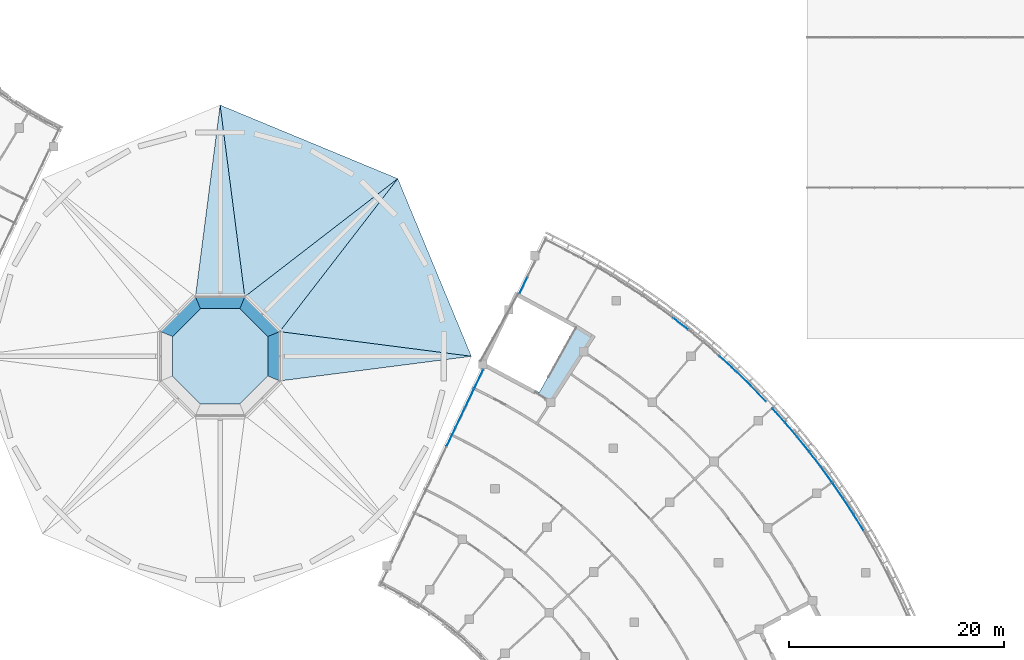
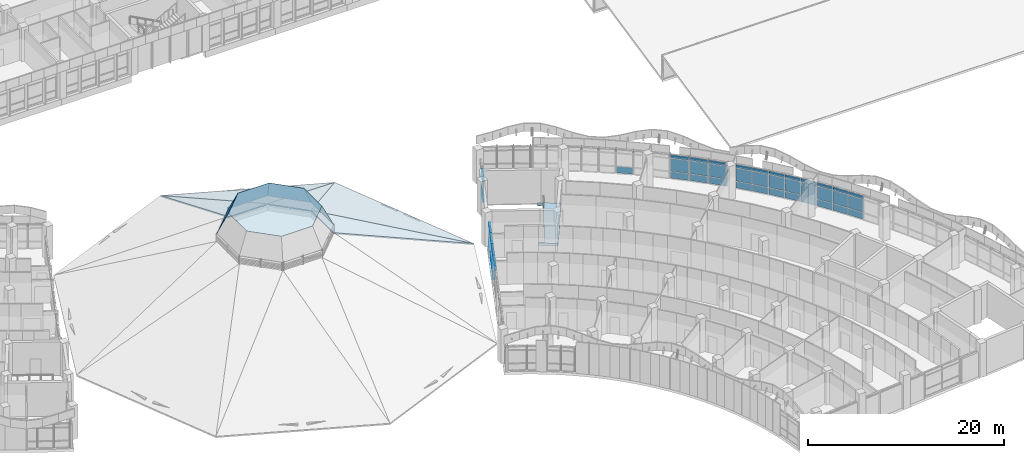
# One storey, part 51 of 137: 52 plates, 6 slabs, 6 elements without a shape of their own.
"""IFC4 building model written with IfcOpenShell, lengths in metres."""

import ifcopenshell
import ifcopenshell.guid

model = None  # the IFC model being written
_history = None  # IfcOwnerHistory: only IFC2X3 demands one
_inside = {}  # id of a spatial element -> (the spatial element, [elements in it])
_under = {}  # id of a project, library or spatial element -> (it, [spatial elements below it])
_declared = {}  # id of a project -> (the project, [libraries it declares])
_typed = {}  # id of a type object -> (the type object, [elements of that type])
_made_of = {}  # id of a material, layer set ... -> (it, [elements and type objects made of it])


def new_model(schema):
    """Start an empty IFC model of exactly this schema.

    Asked for "IFC4X3", IfcOpenShell would pick the latest addendum, in which some entities
    have other attributes; the version numbers below select the first issue.
    IFC2X3 requires an IfcOwnerHistory on every rooted entity: one is made here for all.
    """
    global model, _history
    if schema == "IFC4X3":
        model = ifcopenshell.file(schema_version=(4, 3, 0, 0))
    else:
        model = ifcopenshell.file(schema=schema)
    _inside.clear()
    _under.clear()
    _declared.clear()
    _typed.clear()
    _made_of.clear()
    _history = None
    if model.schema == "IFC2X3":
        org = make("IfcOrganization", Name="unknown")
        user = make(
            "IfcPersonAndOrganization",
            ThePerson=make("IfcPerson", FamilyName="unknown"),
            TheOrganization=org,
        )
        app = make(
            "IfcApplication",
            ApplicationDeveloper=org,
            Version="unknown",
            ApplicationFullName="unknown",
            ApplicationIdentifier="unknown",
        )
        _history = make(
            "IfcOwnerHistory",
            OwningUser=user,
            OwningApplication=app,
            ChangeAction="ADDED",
            CreationDate=0,
        )
    return model


def make(cls, **values):
    """One entity of the class cls with the attributes given. An attribute that is None is left unset."""
    return model.create_entity(
        cls, **{name: value for name, value in values.items() if value is not None}
    )


def rooted(cls, **values):
    """An entity with a GlobalId (a new one), such as an element, a storey or a relation."""
    return make(cls, GlobalId=ifcopenshell.guid.new(), OwnerHistory=_history, **values)


def si_unit(unit_type, name, prefix=None):
    """IfcSIUnit, for example si_unit("LENGTHUNIT", "METRE", prefix="MILLI")."""
    return make("IfcSIUnit", UnitType=unit_type, Prefix=prefix, Name=name)


def assignment(units):
    """IfcUnitAssignment: the units of a project."""
    return None if units is None else make("IfcUnitAssignment", Units=units)


def point(xyz):
    """IfcCartesianPoint."""
    return None if xyz is None else make("IfcCartesianPoint", Coordinates=xyz)


def direction(xyz):
    """IfcDirection."""
    return None if xyz is None else make("IfcDirection", DirectionRatios=xyz)


def frame(location, z_axis=None, x_axis=None):
    """IfcAxis2Placement3D, a coordinate frame: its origin and axes. An axis left out is left unset."""
    return make(
        "IfcAxis2Placement3D",
        Location=point(location),
        Axis=direction(z_axis),
        RefDirection=direction(x_axis),
    )


def frame_2d(location, x_axis=None):
    """IfcAxis2Placement2D, a coordinate frame in the plane: its origin and x axis."""
    return make(
        "IfcAxis2Placement2D", Location=point(location), RefDirection=direction(x_axis)
    )


def origin():
    """The frame at (0, 0, 0) with its axes left unset."""
    return frame((0.0, 0.0, 0.0))


def origin_2d():
    """The frame at (0, 0) in the plane with its x axis left unset."""
    return frame_2d((0.0, 0.0))


def place(relative_to, where):
    """IfcLocalPlacement: puts the frame where relative to a parent placement (None: the world)."""
    return make(
        "IfcLocalPlacement", PlacementRelTo=relative_to, RelativePlacement=where
    )


def context(
    kind, dimensions, precision=None, world=None, true_north=None, identifier=None
):
    """IfcGeometricRepresentationContext, for example the 3D "Model" context."""
    return make(
        "IfcGeometricRepresentationContext",
        ContextIdentifier=identifier,
        ContextType=kind,
        CoordinateSpaceDimension=dimensions,
        Precision=precision,
        WorldCoordinateSystem=world,
        TrueNorth=true_north,
    )


def subcontext(parent, identifier, kind, view, scale=None):
    """IfcGeometricRepresentationSubContext, for example "Body" below "Model"."""
    return make(
        "IfcGeometricRepresentationSubContext",
        ContextIdentifier=identifier,
        ContextType=kind,
        ParentContext=parent,
        TargetScale=scale,
        TargetView=view,
    )


def project(units=None, contexts=None):
    """IfcProject with its units and contexts."""
    return rooted(
        "IfcProject",
        Name="project",
        RepresentationContexts=contexts,
        UnitsInContext=assignment(units),
    )


def spatial(cls, under=None, at=None, **own):
    """A site, building, storey or space (cls), placed at a placement, below another one or the project."""
    s = rooted(cls, ObjectPlacement=at, **own)
    if under is not None:
        _under.setdefault(under.id(), (under, []))[1].append(s)
    return s


def polyline(points):
    """IfcPolyline through the points."""
    return make("IfcPolyline", Points=[point(p) for p in points])


def profile(cls, at=None, kind="AREA", **sizes):
    """A parametric profile (cls). Its sizes go by their IFC names, for example OverallWidth=200.0."""
    return make(cls, ProfileType=kind, Position=at, **sizes)


def rectangle(**sizes):
    """IfcRectangleProfileDef."""
    return profile("IfcRectangleProfileDef", **sizes)


def outline(outer, holes=None, kind="AREA"):
    """IfcArbitraryClosedProfileDef: a profile drawn as a closed curve; with holes, ...WithVoids."""
    if holes is None:
        return make("IfcArbitraryClosedProfileDef", ProfileType=kind, OuterCurve=outer)
    return make(
        "IfcArbitraryProfileDefWithVoids",
        ProfileType=kind,
        OuterCurve=outer,
        InnerCurves=holes,
    )


def extrude(swept, where, along, depth):
    """IfcExtrudedAreaSolid: the profile swept, set in the frame where, extruded along a direction by depth."""
    return make(
        "IfcExtrudedAreaSolid",
        SweptArea=swept,
        Position=where,
        ExtrudedDirection=direction(along),
        Depth=depth,
    )


def shape(context_of_items, identifier, shape_type, items):
    """IfcShapeRepresentation: the items that make up one representation, for example the "Body"."""
    return make(
        "IfcShapeRepresentation",
        ContextOfItems=context_of_items,
        RepresentationIdentifier=identifier,
        RepresentationType=shape_type,
        Items=items,
    )


def material(Name=None, Category=None):
    """IfcMaterial."""
    return make("IfcMaterial", Name=Name, Category=Category)


def layer(
    of_material, thickness, ventilated=None, Name=None, Category=None, Priority=None
):
    """IfcMaterialLayer: one layer of a wall or slab, of a material (None: an air gap)."""
    return make(
        "IfcMaterialLayer",
        Material=of_material,
        LayerThickness=thickness,
        IsVentilated=ventilated,
        Name=Name,
        Category=Category,
        Priority=Priority,
    )


def layer_set(layers, Name=None):
    """IfcMaterialLayerSet."""
    return make("IfcMaterialLayerSet", MaterialLayers=layers, LayerSetName=Name)


def made_of(thing, what):
    """Note that an element or type object is made of a material, layer set ...; save() writes the relation."""
    if what is not None:
        _made_of.setdefault(what.id(), (what, []))[1].append(thing)
    return thing


def type_object(cls, material=None, **own):
    """A type object (cls), such as IfcWallType, which elements share."""
    return made_of(rooted(cls, **own), material)


def element(
    cls,
    number,
    at=None,
    inside=None,
    cuts=None,
    type_object=None,
    material=None,
    context=None,
    identifier="Body",
    shape_type=None,
    held_by="IfcProductDefinitionShape",
    body=None,
    shapes=None,
    **own,
):
    """One element of the class cls, such as IfcWall. Its Tag is "e" and its number.

    at: its placement. inside: the storey or other place that contains it. cuts: it is an
    opening in that element (IfcRelVoidsElement). A single representation is given by context,
    identifier, shape_type and body (its items); several are given by shapes. held_by: the class
    of the entity that holds the representations. save() writes the other relations.
    """
    e = rooted(cls, Tag="e%d" % number, ObjectPlacement=at, **own)
    if body is not None:
        shapes = [shape(context, identifier, shape_type, body)]
    if shapes is not None:
        e.Representation = make(held_by, Representations=shapes)
    if inside is not None:
        _inside.setdefault(inside.id(), (inside, []))[1].append(e)
    if cuts is not None:
        rooted(
            "IfcRelVoidsElement", RelatingBuildingElement=cuts, RelatedOpeningElement=e
        )
    if type_object is not None:
        _typed.setdefault(type_object.id(), (type_object, []))[1].append(e)
    return made_of(e, material)


def aggregate(whole, parts):
    """IfcRelAggregates: a whole, such as a stair, and the parts it consists of."""
    return rooted("IfcRelAggregates", RelatingObject=whole, RelatedObjects=parts)


def save(model, path):
    """Write the relations noted so far, then the file.

    IfcRelAggregates (storeys below a building ...), IfcRelContainedInSpatialStructure (elements
    in a storey), IfcRelDefinesByType, IfcRelAssociatesMaterial and IfcRelDeclares: one each for
    every whole, place, type object, material and project.
    """
    for whole, parts in _under.values():
        aggregate(whole, parts)
    for where, things in _inside.values():
        rooted(
            "IfcRelContainedInSpatialStructure",
            RelatedElements=things,
            RelatingStructure=where,
        )
    for kind, things in _typed.values():
        rooted("IfcRelDefinesByType", RelatedObjects=things, RelatingType=kind)
    for what, things in _made_of.values():
        rooted("IfcRelAssociatesMaterial", RelatedObjects=things, RelatingMaterial=what)
    for by, libraries in _declared.values():
        rooted("IfcRelDeclares", RelatingContext=by, RelatedDefinitions=libraries)
    model.write(path)


model = new_model("IFC4")

# Units and contexts
model_context = context("Model", 3, precision=1e-05, world=origin(), true_north=direction((0.0, 1.0)))
body_context = subcontext(model_context, "Body", "Model", "MODEL_VIEW")
ifc_project = project(units=[si_unit("LENGTHUNIT", "METRE"), si_unit("AREAUNIT", "SQUARE_METRE"), si_unit("VOLUMEUNIT", "CUBIC_METRE"), si_unit("PLANEANGLEUNIT", "RADIAN"), si_unit("MASSUNIT", "GRAM", prefix="KILO")], contexts=[model_context])

# Site, building, storey
site_placement = place(None, origin())
site = spatial("IfcSite", under=ifc_project, at=site_placement, CompositionType="ELEMENT")
building_placement = place(site_placement, origin())
building = spatial("IfcBuilding", under=site, at=building_placement, Name="Bougainvillea Quay General Hospital", CompositionType="ELEMENT")
storey_placement = place(building_placement, frame((0.0, 0.0, 16.800048828125)))
storey = spatial("IfcBuildingStorey", under=building, at=storey_placement, Name="L03", CompositionType="ELEMENT", Elevation=16.800048828125)

# Curtain wall, plate
ifc_material_1 = material(Name="Aluminium curtain wall system, powder-coated glazed", Category="aluminium")
curtain_wall_type_1 = type_object("IfcCurtainWallType", Name="Unitised curtain wall CW-2100", PredefinedType="NOTDEFINED", material=ifc_material_1)
curtain_wall_1_placement = place(storey_placement, origin())
curtain_wall_1 = element("IfcCurtainWall", 1, at=curtain_wall_1_placement, inside=storey, type_object=curtain_wall_type_1, Name="CW-E02 a10b1", PredefinedType="NOTDEFINED")
ifc_material_2 = material(Name="Insulated aluminium spandrel panel, white", Category="aluminium")
ifc_layer_1 = layer(ifc_material_2, 0.028076171875)
ifc_layer_set_1 = layer_set([ifc_layer_1], Name="Insulated aluminium spandrel panel, white")
plate_type_1 = type_object("IfcPlateType", Name="Insulated spandrel panel white 28", PredefinedType="CURTAIN_PANEL", material=ifc_layer_set_1)
plate_1_placement = place(storey_placement, frame((152.072265625, 77.01171875, 0.059814453125), z_axis=(0.0, 0.0, 1.0), x_axis=(0.788758046282, -0.614703785921, 0.0)))
plate_1 = element("IfcPlate", 2, at=plate_1_placement, type_object=plate_type_1, Name="CW-E02 spandrel panel 4.1", PredefinedType="CURTAIN_PANEL", context=body_context, shape_type="SweptSolid", body=[
    extrude(rectangle(XDim=1.72021484375, YDim=0.028076171875, at=origin_2d()), origin(), (0.0, 0.0, 1.0), 0.81005859375),
])
aggregate(curtain_wall_1, [plate_1])

# Curtain wall, plates
curtain_wall_2_placement = place(storey_placement, origin())
curtain_wall_2 = element("IfcCurtainWall", 3, at=curtain_wall_2_placement, inside=storey, type_object=curtain_wall_type_1, Name="CW-E03 a10b2", PredefinedType="NOTDEFINED")
plate_2_placement = place(storey_placement, frame((156.422607421875, 73.323486328125, 0.059814453125), z_axis=(0.0, 0.0, 1.0), x_axis=(0.735894078479, -0.677096673497, 0.0)))
plate_2 = element("IfcPlate", 4, at=plate_2_placement, type_object=plate_type_1, Name="CW-E03 spandrel panel 2.1", PredefinedType="CURTAIN_PANEL", context=body_context, shape_type="SweptSolid", body=[
    extrude(rectangle(XDim=1.96337890625, YDim=0.028076171875, at=origin_2d()), origin(), (0.0, 0.0, 1.0), 0.81005859375),
])
plate_3_placement = place(storey_placement, frame((156.422607421875, 73.323486328125, 2.580078125), z_axis=(0.0, 0.0, 1.0), x_axis=(0.735894078479, -0.677096673497, 0.0)))
plate_3 = element("IfcPlate", 5, at=plate_3_placement, type_object=plate_type_1, Name="CW-E03 spandrel panel 2.3", PredefinedType="CURTAIN_PANEL", context=body_context, shape_type="SweptSolid", body=[
    extrude(rectangle(XDim=1.96337890625, YDim=0.028076171875, at=origin_2d()), origin(), (0.0, 0.0, 1.0), 0.409912109375),
])
plate_4_placement = place(storey_placement, frame((157.8916015625, 71.93212890625, 0.059814453125), z_axis=(0.0, 0.0, 1.0), x_axis=(0.715944985264, -0.69815670023, 0.0)))
plate_4 = element("IfcPlate", 6, at=plate_4_placement, type_object=plate_type_1, Name="CW-E03 spandrel panel 3.1", PredefinedType="CURTAIN_PANEL", context=body_context, shape_type="SweptSolid", body=[
    extrude(rectangle(XDim=1.96337890625, YDim=0.028076171875, at=origin_2d()), origin(), (0.0, 0.0, 1.0), 0.81005859375),
])
plate_5_placement = place(storey_placement, frame((157.8916015625, 71.93212890625, 2.580078125), z_axis=(0.0, 0.0, 1.0), x_axis=(0.715944985264, -0.69815670023, 0.0)))
plate_5 = element("IfcPlate", 7, at=plate_5_placement, type_object=plate_type_1, Name="CW-E03 spandrel panel 3.3", PredefinedType="CURTAIN_PANEL", context=body_context, shape_type="SweptSolid", body=[
    extrude(rectangle(XDim=1.96337890625, YDim=0.028076171875, at=origin_2d()), origin(), (0.0, 0.0, 1.0), 0.409912109375),
])
plate_6_placement = place(storey_placement, frame((159.308837890625, 70.509521484375, 0.059814453125), z_axis=(0.0, 0.0, 1.0), x_axis=(0.695393430754, -0.718629234351, 0.0)))
plate_6 = element("IfcPlate", 8, at=plate_6_placement, type_object=plate_type_1, Name="CW-E03 spandrel panel 4.1", PredefinedType="CURTAIN_PANEL", context=body_context, shape_type="SweptSolid", body=[
    extrude(rectangle(XDim=1.933349609375, YDim=0.028076171875, at=origin_2d()), origin(), (0.0, 0.0, 1.0), 0.81005859375),
])
plate_7_placement = place(storey_placement, frame((159.308837890625, 70.509521484375, 2.580078125), z_axis=(0.0, 0.0, 1.0), x_axis=(0.695393430754, -0.718629234351, 0.0)))
plate_7 = element("IfcPlate", 9, at=plate_7_placement, type_object=plate_type_1, Name="CW-E03 spandrel panel 4.3", PredefinedType="CURTAIN_PANEL", context=body_context, shape_type="SweptSolid", body=[
    extrude(rectangle(XDim=1.933349609375, YDim=0.028076171875, at=origin_2d()), origin(), (0.0, 0.0, 1.0), 0.409912109375),
])

curtain_wall_type_2 = type_object("IfcCurtainWallType", Name="Unitised curtain wall CW-1703", PredefinedType="NOTDEFINED", material=ifc_material_1)
curtain_wall_3_placement = place(storey_placement, origin())
curtain_wall_3 = element("IfcCurtainWall", 10, at=curtain_wall_3_placement, inside=storey, type_object=curtain_wall_type_2, Name="CW-AE 01", PredefinedType="NOTDEFINED")
plate_8_placement = place(storey_placement, frame((137.4267578125, 80.597412109375, 0.059814453125), z_axis=(0.0, 0.0, 1.0), x_axis=(-0.430525444112, -0.902578440897, 0.0)))
plate_8 = element("IfcPlate", 11, at=plate_8_placement, type_object=plate_type_1, Name="CW-AE spandrel panel 2.1", PredefinedType="CURTAIN_PANEL", context=body_context, shape_type="SweptSolid", body=[
    extrude(rectangle(XDim=1.61279296875, YDim=0.028076171875, at=origin_2d()), origin(), (0.0, 0.0, 1.0), 0.81005859375),
])
plate_9_placement = place(storey_placement, frame((137.4267578125, 80.597412109375, 2.580078125), z_axis=(0.0, 0.0, 1.0), x_axis=(-0.430525444112, -0.902578440897, 0.0)))
plate_9 = element("IfcPlate", 12, at=plate_9_placement, type_object=plate_type_1, Name="CW-AE spandrel panel 2.3", PredefinedType="CURTAIN_PANEL", context=body_context, shape_type="SweptSolid", body=[
    extrude(rectangle(XDim=1.61279296875, YDim=0.028076171875, at=origin_2d()), origin(), (0.0, 0.0, 1.0), 0.409912109375),
])

curtain_wall_type_3 = type_object("IfcCurtainWallType", Name="Unitised curtain wall CW-1997", PredefinedType="NOTDEFINED", material=ifc_material_1)
curtain_wall_4_placement = place(storey_placement, origin())
curtain_wall_4 = element("IfcCurtainWall", 13, at=curtain_wall_4_placement, inside=storey, type_object=curtain_wall_type_3, Name="CW-AE 02", PredefinedType="NOTDEFINED")
plate_10_placement = place(storey_placement, frame((133.26171875, 71.865966796875, 0.059814453125), z_axis=(0.0, 0.0, 1.0), x_axis=(-0.430525444112, -0.902578440897, 0.0)))
plate_10 = element("IfcPlate", 14, at=plate_10_placement, type_object=plate_type_1, Name="CW-AE spandrel panel 1.1", PredefinedType="CURTAIN_PANEL", context=body_context, shape_type="SweptSolid", body=[
    extrude(rectangle(XDim=1.906005859375, YDim=0.028076171875, at=origin_2d()), origin(), (0.0, 0.0, 1.0), 0.81005859375),
])
plate_11_placement = place(storey_placement, frame((133.26171875, 71.865966796875, 2.580078125), z_axis=(0.0, 0.0, 1.0), x_axis=(-0.430525444112, -0.902578440897, 0.0)))
plate_11 = element("IfcPlate", 15, at=plate_11_placement, type_object=plate_type_1, Name="CW-AE spandrel panel 1.3", PredefinedType="CURTAIN_PANEL", context=body_context, shape_type="SweptSolid", body=[
    extrude(rectangle(XDim=1.906005859375, YDim=0.028076171875, at=origin_2d()), origin(), (0.0, 0.0, 1.0), 0.409912109375),
])
plate_12_placement = place(storey_placement, frame((132.408935546875, 70.077880859375, 0.059814453125), z_axis=(0.0, 0.0, 1.0), x_axis=(-0.430525444112, -0.902578440897, 0.0)))
plate_12 = element("IfcPlate", 16, at=plate_12_placement, type_object=plate_type_1, Name="CW-AE spandrel panel 2.1", PredefinedType="CURTAIN_PANEL", context=body_context, shape_type="SweptSolid", body=[
    extrude(rectangle(XDim=1.93603515625, YDim=0.028076171875, at=origin_2d()), origin(), (0.0, 0.0, 1.0), 0.81005859375),
])
plate_13_placement = place(storey_placement, frame((132.408935546875, 70.077880859375, 2.580078125), z_axis=(0.0, 0.0, 1.0), x_axis=(-0.430525444112, -0.902578440897, 0.0)))
plate_13 = element("IfcPlate", 17, at=plate_13_placement, type_object=plate_type_1, Name="CW-AE spandrel panel 2.3", PredefinedType="CURTAIN_PANEL", context=body_context, shape_type="SweptSolid", body=[
    extrude(rectangle(XDim=1.93603515625, YDim=0.028076171875, at=origin_2d()), origin(), (0.0, 0.0, 1.0), 0.409912109375),
])
plate_14_placement = place(storey_placement, frame((131.549560546875, 68.2763671875, 0.059814453125), z_axis=(0.0, 0.0, 1.0), x_axis=(-0.430525444112, -0.902578440897, 0.0)))
plate_14 = element("IfcPlate", 18, at=plate_14_placement, type_object=plate_type_1, Name="CW-AE spandrel panel 3.1", PredefinedType="CURTAIN_PANEL", context=body_context, shape_type="SweptSolid", body=[
    extrude(rectangle(XDim=1.93603515625, YDim=0.028076171875, at=origin_2d()), origin(), (0.0, 0.0, 1.0), 0.81005859375),
])
plate_15_placement = place(storey_placement, frame((131.549560546875, 68.2763671875, 2.580078125), z_axis=(0.0, 0.0, 1.0), x_axis=(-0.430525444112, -0.902578440897, 0.0)))
plate_15 = element("IfcPlate", 19, at=plate_15_placement, type_object=plate_type_1, Name="CW-AE spandrel panel 3.3", PredefinedType="CURTAIN_PANEL", context=body_context, shape_type="SweptSolid", body=[
    extrude(rectangle(XDim=1.93603515625, YDim=0.028076171875, at=origin_2d()), origin(), (0.0, 0.0, 1.0), 0.409912109375),
])
plate_16_placement = place(storey_placement, frame((130.690185546875, 66.474609375, 2.580078125), z_axis=(0.0, 0.0, 1.0), x_axis=(-0.430525444112, -0.902578440897, 0.0)))
plate_16 = element("IfcPlate", 20, at=plate_16_placement, type_object=plate_type_1, Name="CW-AE spandrel panel 4.3", PredefinedType="CURTAIN_PANEL", context=body_context, shape_type="SweptSolid", body=[
    extrude(rectangle(XDim=1.93603515625, YDim=0.028076171875, at=origin_2d()), origin(), (0.0, 0.0, 1.0), 0.409912109375),
])

curtain_wall_5_placement = place(storey_placement, origin())
curtain_wall_5 = element("IfcCurtainWall", 21, at=curtain_wall_5_placement, inside=storey, type_object=curtain_wall_type_1, Name="CW-E04 a14b3", PredefinedType="NOTDEFINED")
plate_17_placement = place(storey_placement, frame((161.176513671875, 68.505859375, 0.059814453125), z_axis=(0.0, 0.0, 1.0), x_axis=(0.666959122159, -0.745094309044, 0.0)))
plate_17 = element("IfcPlate", 22, at=plate_17_placement, type_object=plate_type_1, Name="CW-E04 spandrel panel 1.1", PredefinedType="CURTAIN_PANEL", context=body_context, shape_type="SweptSolid", body=[
    extrude(rectangle(XDim=1.690185546875, YDim=0.028076171875, at=origin_2d()), origin(), (0.0, 0.0, 1.0), 0.81005859375),
])
plate_18_placement = place(storey_placement, frame((161.176513671875, 68.505859375, 2.580078125), z_axis=(0.0, 0.0, 1.0), x_axis=(0.666959122159, -0.745094309044, 0.0)))
plate_18 = element("IfcPlate", 23, at=plate_18_placement, type_object=plate_type_1, Name="CW-E04 spandrel panel 1.3", PredefinedType="CURTAIN_PANEL", context=body_context, shape_type="SweptSolid", body=[
    extrude(rectangle(XDim=1.690185546875, YDim=0.028076171875, at=origin_2d()), origin(), (0.0, 0.0, 1.0), 0.409912109375),
])
plate_19_placement = place(storey_placement, frame((162.336669921875, 67.175537109375, 0.059814453125), z_axis=(0.0, 0.0, 1.0), x_axis=(0.647726390606, -0.761873035953, 0.0)))
plate_19 = element("IfcPlate", 24, at=plate_19_placement, type_object=plate_type_1, Name="CW-E04 spandrel panel 2.1", PredefinedType="CURTAIN_PANEL", context=body_context, shape_type="SweptSolid", body=[
    extrude(rectangle(XDim=1.72021484375, YDim=0.028076171875, at=origin_2d()), origin(), (0.0, 0.0, 1.0), 0.81005859375),
])
plate_20_placement = place(storey_placement, frame((162.336669921875, 67.175537109375, 2.580078125), z_axis=(0.0, 0.0, 1.0), x_axis=(0.647726390606, -0.761873035953, 0.0)))
plate_20 = element("IfcPlate", 25, at=plate_20_placement, type_object=plate_type_1, Name="CW-E04 spandrel panel 2.3", PredefinedType="CURTAIN_PANEL", context=body_context, shape_type="SweptSolid", body=[
    extrude(rectangle(XDim=1.72021484375, YDim=0.028076171875, at=origin_2d()), origin(), (0.0, 0.0, 1.0), 0.409912109375),
])
plate_21_placement = place(storey_placement, frame((163.47216796875, 65.8046875, 0.059814453125), z_axis=(0.0, 0.0, 1.0), x_axis=(0.62807171477, -0.778155460757, 0.0)))
plate_21 = element("IfcPlate", 26, at=plate_21_placement, type_object=plate_type_1, Name="CW-E04 spandrel panel 3.1", PredefinedType="CURTAIN_PANEL", context=body_context, shape_type="SweptSolid", body=[
    extrude(rectangle(XDim=1.72021484375, YDim=0.028076171875, at=origin_2d()), origin(), (0.0, 0.0, 1.0), 0.81005859375),
])
plate_22_placement = place(storey_placement, frame((163.47216796875, 65.8046875, 2.580078125), z_axis=(0.0, 0.0, 1.0), x_axis=(0.62807171477, -0.778155460757, 0.0)))
plate_22 = element("IfcPlate", 27, at=plate_22_placement, type_object=plate_type_1, Name="CW-E04 spandrel panel 3.3", PredefinedType="CURTAIN_PANEL", context=body_context, shape_type="SweptSolid", body=[
    extrude(rectangle(XDim=1.72021484375, YDim=0.028076171875, at=origin_2d()), origin(), (0.0, 0.0, 1.0), 0.409912109375),
])
plate_23_placement = place(storey_placement, frame((164.572509765625, 64.4052734375, 0.059814453125), z_axis=(0.0, 0.0, 1.0), x_axis=(0.608007898172, -0.793930976698, 0.0)))
plate_23 = element("IfcPlate", 28, at=plate_23_placement, type_object=plate_type_1, Name="CW-E04 spandrel panel 4.1", PredefinedType="CURTAIN_PANEL", context=body_context, shape_type="SweptSolid", body=[
    extrude(rectangle(XDim=1.72021484375, YDim=0.028076171875, at=origin_2d()), origin(), (0.0, 0.0, 1.0), 0.81005859375),
])
plate_24_placement = place(storey_placement, frame((164.572509765625, 64.4052734375, 2.580078125), z_axis=(0.0, 0.0, 1.0), x_axis=(0.608007898172, -0.793930976698, 0.0)))
plate_24 = element("IfcPlate", 29, at=plate_24_placement, type_object=plate_type_1, Name="CW-E04 spandrel panel 4.3", PredefinedType="CURTAIN_PANEL", context=body_context, shape_type="SweptSolid", body=[
    extrude(rectangle(XDim=1.72021484375, YDim=0.028076171875, at=origin_2d()), origin(), (0.0, 0.0, 1.0), 0.409912109375),
])
plate_25_placement = place(storey_placement, frame((165.6279296875, 62.990478515625, 0.059814453125), z_axis=(0.0, 0.0, 1.0), x_axis=(0.587548010856, -0.809189307232, 0.0)))
plate_25 = element("IfcPlate", 30, at=plate_25_placement, type_object=plate_type_1, Name="CW-E04 spandrel panel 5.1", PredefinedType="CURTAIN_PANEL", context=body_context, shape_type="SweptSolid", body=[
    extrude(rectangle(XDim=1.690185546875, YDim=0.028076171875, at=origin_2d()), origin(), (0.0, 0.0, 1.0), 0.81005859375),
])
plate_26_placement = place(storey_placement, frame((165.6279296875, 62.990478515625, 2.580078125), z_axis=(0.0, 0.0, 1.0), x_axis=(0.587548010856, -0.809189307232, 0.0)))
plate_26 = element("IfcPlate", 31, at=plate_26_placement, type_object=plate_type_1, Name="CW-E04 spandrel panel 5.3", PredefinedType="CURTAIN_PANEL", context=body_context, shape_type="SweptSolid", body=[
    extrude(rectangle(XDim=1.690185546875, YDim=0.028076171875, at=origin_2d()), origin(), (0.0, 0.0, 1.0), 0.409912109375),
])

curtain_wall_6_placement = place(storey_placement, origin())
curtain_wall_6 = element("IfcCurtainWall", 32, at=curtain_wall_6_placement, inside=storey, type_object=curtain_wall_type_1, Name="CW-E05 a14b4", PredefinedType="NOTDEFINED")
plate_27_placement = place(storey_placement, frame((166.672607421875, 61.512451171875, 0.059814453125), z_axis=(0.0, 0.0, 1.0), x_axis=(0.566705380876, -0.823920512723, 0.0)))
plate_27 = element("IfcPlate", 33, at=plate_27_placement, type_object=plate_type_1, Name="CW-E05 spandrel panel 1.1", PredefinedType="CURTAIN_PANEL", context=body_context, shape_type="SweptSolid", body=[
    extrude(rectangle(XDim=1.690185546875, YDim=0.028076171875, at=origin_2d()), origin(), (0.0, 0.0, 1.0), 0.81005859375),
])
plate_28_placement = place(storey_placement, frame((166.672607421875, 61.512451171875, 2.580078125), z_axis=(0.0, 0.0, 1.0), x_axis=(0.566705380876, -0.823920512723, 0.0)))
plate_28 = element("IfcPlate", 34, at=plate_28_placement, type_object=plate_type_1, Name="CW-E05 spandrel panel 1.3", PredefinedType="CURTAIN_PANEL", context=body_context, shape_type="SweptSolid", body=[
    extrude(rectangle(XDim=1.690185546875, YDim=0.028076171875, at=origin_2d()), origin(), (0.0, 0.0, 1.0), 0.409912109375),
])
plate_29_placement = place(storey_placement, frame((167.654052734375, 60.04541015625, 0.059814453125), z_axis=(0.0, 0.0, 1.0), x_axis=(0.545493585615, -0.838114996915, 0.0)))
plate_29 = element("IfcPlate", 35, at=plate_29_placement, type_object=plate_type_1, Name="CW-E05 spandrel panel 2.1", PredefinedType="CURTAIN_PANEL", context=body_context, shape_type="SweptSolid", body=[
    extrude(rectangle(XDim=1.72021484375, YDim=0.028076171875, at=origin_2d()), origin(), (0.0, 0.0, 1.0), 0.81005859375),
])
plate_30_placement = place(storey_placement, frame((167.654052734375, 60.04541015625, 2.580078125), z_axis=(0.0, 0.0, 1.0), x_axis=(0.545493585615, -0.838114996915, 0.0)))
plate_30 = element("IfcPlate", 36, at=plate_30_placement, type_object=plate_type_1, Name="CW-E05 spandrel panel 2.3", PredefinedType="CURTAIN_PANEL", context=body_context, shape_type="SweptSolid", body=[
    extrude(rectangle(XDim=1.72021484375, YDim=0.028076171875, at=origin_2d()), origin(), (0.0, 0.0, 1.0), 0.409912109375),
])
plate_31_placement = place(storey_placement, frame((168.60595703125, 58.541015625, 0.059814453125), z_axis=(0.0, 0.0, 1.0), x_axis=(0.523926442936, -0.851763513185, 0.0)))
plate_31 = element("IfcPlate", 37, at=plate_31_placement, type_object=plate_type_1, Name="CW-E05 spandrel panel 3.1", PredefinedType="CURTAIN_PANEL", context=body_context, shape_type="SweptSolid", body=[
    extrude(rectangle(XDim=1.72021484375, YDim=0.028076171875, at=origin_2d()), origin(), (0.0, 0.0, 1.0), 0.81005859375),
])
plate_32_placement = place(storey_placement, frame((168.60595703125, 58.541015625, 2.580078125), z_axis=(0.0, 0.0, 1.0), x_axis=(0.523926442936, -0.851763513185, 0.0)))
plate_32 = element("IfcPlate", 38, at=plate_32_placement, type_object=plate_type_1, Name="CW-E05 spandrel panel 3.3", PredefinedType="CURTAIN_PANEL", context=body_context, shape_type="SweptSolid", body=[
    extrude(rectangle(XDim=1.72021484375, YDim=0.028076171875, at=origin_2d()), origin(), (0.0, 0.0, 1.0), 0.409912109375),
])

# Plates
ifc_material_3 = material(Name="Low-e laminated glass, solar control", Category="glass")
ifc_layer_2 = layer(ifc_material_3, 0.030029296875)
ifc_layer_set_2 = layer_set([ifc_layer_2], Name="Low-e laminated glass, solar control")
plate_type_2 = type_object("IfcPlateType", Name="Lantern glass facet 30", PredefinedType="SHEET", material=ifc_layer_set_2)
plate_33_placement = place(storey_placement, frame((114.742919921875, 76.2958984375, 10.0), z_axis=(0.641939492683, 0.641939492683, 0.419317750002), x_axis=(-0.707102106911, 0.707111455287, -1.4311562e-05)))
element("IfcPlate", 39, at=plate_33_placement, inside=storey, type_object=plate_type_2, Name="Lantern glazing 1", PredefinedType="SHEET", context=body_context, shape_type="SweptSolid", body=[
    extrude(outline(polyline([(0.0, 0.0), (4.591878240995623, 1.1102230246251565e-16), (4.13263147878594, 2.6435965732254227), (0.4591634147418241, 2.6434662748527162), (0.0, 0.0)])), origin(), (1.4311562e-05, -0.907839536663, -0.419317750002), 0.030029296875),
])
plate_34_placement = place(storey_placement, frame((111.49609375, 79.54296875, 10.0), z_axis=(0.0, 0.907816073866, 0.419368544397), x_axis=(-1.0, 0.0, 0.0)))
element("IfcPlate", 40, at=plate_34_placement, inside=storey, type_object=plate_type_2, Name="Lantern glazing 2", PredefinedType="SHEET", context=body_context, shape_type="SweptSolid", body=[
    extrude(outline(polyline([(0.0, 0.0), (4.592041015625, 0.0), (4.1328125, 2.643599747610895), (0.459228515625, 2.643599747610895), (0.0, 0.0)])), origin(), (0.0, -0.907816073866, -0.419368544397), 0.030029296875),
])
plate_35_placement = place(storey_placement, frame((106.904052734375, 79.54296875, 10.0), z_axis=(-0.641917296065, 0.641944110773, 0.419344659746), x_axis=(-0.707118952619, -0.7070946095, 7.951136e-06)))
element("IfcPlate", 41, at=plate_35_placement, inside=storey, type_object=plate_type_2, Name="Lantern glazing 3", PredefinedType="SHEET", context=body_context, shape_type="SweptSolid", body=[
    extrude(outline(polyline([(0.0, 0.0), (4.59205087309109, 0.0), (4.132673153776267, 2.643531423206199), (0.45920508582329195, 2.643603816138966), (0.0, 0.0)])), origin(), (-7.951136e-06, -0.907827107042, -0.419344659746), 0.030029296875),
])
plate_36_placement = place(storey_placement, frame((114.742919921875, 71.7041015625, 10.0), z_axis=(0.907851231163, 0.0, 0.419292430263), x_axis=(0.0, 1.0, 0.0)))
element("IfcPlate", 42, at=plate_36_placement, inside=storey, type_object=plate_type_2, Name="Lantern glazing 8", PredefinedType="SHEET", context=body_context, shape_type="SweptSolid", body=[
    extrude(outline(polyline([(0.0, 0.0), (4.591796875, 0.0), (4.1328125, 2.6434973720034574), (0.458984375, 2.6434973720034574), (0.0, 0.0)])), origin(), (0.0, -0.907851231163, -0.419292430263), 0.030029296875),
])
plate_37_placement = place(storey_placement, frame((113.634521484375, 75.8369140625, 12.39990234375), z_axis=(0.0, 0.0, 1.0), x_axis=(-0.707140010669, 0.707073550142, 0.0)))
element("IfcPlate", 43, at=plate_37_placement, inside=storey, type_object=plate_type_2, Name="Lantern cap glazing", PredefinedType="SHEET", context=body_context, shape_type="SweptSolid", body=[
    extrude(outline(polyline([(0.0, 0.0), (3.6734680696981634, 0.0), (6.271206287603978, 2.5974940695770647), (6.2715515545865985, 6.270962123049514), (3.673884859631081, 8.868872982559497), (0.00041678993291771604, 8.868872982559495), (-2.597321427972897, 6.271378912982431), (-2.5976666949555174, 2.5979108595099825), (0.0, 0.0)])), origin(), (0.0, 0.0, -1.0), 0.030029296875),
])

# Plate
ifc_layer_3 = layer(ifc_material_3, 0.028076171875)
ifc_layer_set_3 = layer_set([ifc_layer_3], Name="Low-e laminated glass, solar control")
plate_type_3 = type_object("IfcPlateType", Name="Low-e laminated vision glass 28", PredefinedType="CURTAIN_PANEL", material=ifc_layer_set_3)
plate_38_placement = place(storey_placement, frame((156.422607421875, 73.323486328125, 0.9296875), z_axis=(0.0, 0.0, 1.0), x_axis=(0.735894078479, -0.677096673497, 0.0)))
plate_38 = element("IfcPlate", 44, at=plate_38_placement, type_object=plate_type_3, Name="CW-E03 vision glass panel 2.2", PredefinedType="CURTAIN_PANEL", context=body_context, shape_type="SweptSolid", body=[
    extrude(rectangle(XDim=1.96337890625, YDim=0.028076171875, at=origin_2d()), origin(), (0.0, 0.0, 1.0), 1.590087890625),
])

plate_39_placement = place(storey_placement, frame((157.8916015625, 71.93212890625, 0.9296875), z_axis=(0.0, 0.0, 1.0), x_axis=(0.715944985264, -0.69815670023, 0.0)))
plate_39 = element("IfcPlate", 45, at=plate_39_placement, type_object=plate_type_3, Name="CW-E03 vision glass panel 3.2", PredefinedType="CURTAIN_PANEL", context=body_context, shape_type="SweptSolid", body=[
    extrude(rectangle(XDim=1.96337890625, YDim=0.028076171875, at=origin_2d()), origin(), (0.0, 0.0, 1.0), 1.590087890625),
])

plate_40_placement = place(storey_placement, frame((159.308837890625, 70.509521484375, 0.9296875), z_axis=(0.0, 0.0, 1.0), x_axis=(0.695393430754, -0.718629234351, 0.0)))
plate_40 = element("IfcPlate", 46, at=plate_40_placement, type_object=plate_type_3, Name="CW-E03 vision glass panel 4.2", PredefinedType="CURTAIN_PANEL", context=body_context, shape_type="SweptSolid", body=[
    extrude(rectangle(XDim=1.933349609375, YDim=0.028076171875, at=origin_2d()), origin(), (0.0, 0.0, 1.0), 1.590087890625),
])

aggregate(curtain_wall_2, [plate_2, plate_38, plate_3, plate_4, plate_39, plate_5, plate_6, plate_40, plate_7])

plate_41_placement = place(storey_placement, frame((137.4267578125, 80.597412109375, 0.9296875), z_axis=(0.0, 0.0, 1.0), x_axis=(-0.430525444112, -0.902578440897, 0.0)))
plate_41 = element("IfcPlate", 47, at=plate_41_placement, type_object=plate_type_3, Name="CW-AE vision glass panel 2.2", PredefinedType="CURTAIN_PANEL", context=body_context, shape_type="SweptSolid", body=[
    extrude(rectangle(XDim=1.61279296875, YDim=0.028076171875, at=origin_2d()), origin(), (0.0, 0.0, 1.0), 1.590087890625),
])

aggregate(curtain_wall_3, [plate_8, plate_41, plate_9])

plate_42_placement = place(storey_placement, frame((133.26171875, 71.865966796875, 0.9296875), z_axis=(0.0, 0.0, 1.0), x_axis=(-0.430525444112, -0.902578440897, 0.0)))
plate_42 = element("IfcPlate", 48, at=plate_42_placement, type_object=plate_type_3, Name="CW-AE vision glass panel 1.2", PredefinedType="CURTAIN_PANEL", context=body_context, shape_type="SweptSolid", body=[
    extrude(rectangle(XDim=1.906005859375, YDim=0.028076171875, at=origin_2d()), origin(), (0.0, 0.0, 1.0), 1.590087890625),
])

plate_43_placement = place(storey_placement, frame((132.408935546875, 70.077880859375, 0.9296875), z_axis=(0.0, 0.0, 1.0), x_axis=(-0.430525444112, -0.902578440897, 0.0)))
plate_43 = element("IfcPlate", 49, at=plate_43_placement, type_object=plate_type_3, Name="CW-AE vision glass panel 2.2", PredefinedType="CURTAIN_PANEL", context=body_context, shape_type="SweptSolid", body=[
    extrude(rectangle(XDim=1.93603515625, YDim=0.028076171875, at=origin_2d()), origin(), (0.0, 0.0, 1.0), 1.590087890625),
])

plate_44_placement = place(storey_placement, frame((131.549560546875, 68.2763671875, 0.9296875), z_axis=(0.0, 0.0, 1.0), x_axis=(-0.430525444112, -0.902578440897, 0.0)))
plate_44 = element("IfcPlate", 50, at=plate_44_placement, type_object=plate_type_3, Name="CW-AE vision glass panel 3.2", PredefinedType="CURTAIN_PANEL", context=body_context, shape_type="SweptSolid", body=[
    extrude(rectangle(XDim=1.93603515625, YDim=0.028076171875, at=origin_2d()), origin(), (0.0, 0.0, 1.0), 1.590087890625),
])

aggregate(curtain_wall_4, [plate_10, plate_42, plate_11, plate_12, plate_43, plate_13, plate_14, plate_44, plate_15, plate_16])

plate_45_placement = place(storey_placement, frame((161.176513671875, 68.505859375, 0.9296875), z_axis=(0.0, 0.0, 1.0), x_axis=(0.666959122159, -0.745094309044, 0.0)))
plate_45 = element("IfcPlate", 51, at=plate_45_placement, type_object=plate_type_3, Name="CW-E04 vision glass panel 1.2", PredefinedType="CURTAIN_PANEL", context=body_context, shape_type="SweptSolid", body=[
    extrude(rectangle(XDim=1.690185546875, YDim=0.028076171875, at=origin_2d()), origin(), (0.0, 0.0, 1.0), 1.590087890625),
])

plate_46_placement = place(storey_placement, frame((162.336669921875, 67.175537109375, 0.9296875), z_axis=(0.0, 0.0, 1.0), x_axis=(0.647726390606, -0.761873035953, 0.0)))
plate_46 = element("IfcPlate", 52, at=plate_46_placement, type_object=plate_type_3, Name="CW-E04 vision glass panel 2.2", PredefinedType="CURTAIN_PANEL", context=body_context, shape_type="SweptSolid", body=[
    extrude(rectangle(XDim=1.72021484375, YDim=0.028076171875, at=origin_2d()), origin(), (0.0, 0.0, 1.0), 1.590087890625),
])

plate_47_placement = place(storey_placement, frame((163.47216796875, 65.8046875, 0.9296875), z_axis=(0.0, 0.0, 1.0), x_axis=(0.62807171477, -0.778155460757, 0.0)))
plate_47 = element("IfcPlate", 53, at=plate_47_placement, type_object=plate_type_3, Name="CW-E04 vision glass panel 3.2", PredefinedType="CURTAIN_PANEL", context=body_context, shape_type="SweptSolid", body=[
    extrude(rectangle(XDim=1.72021484375, YDim=0.028076171875, at=origin_2d()), origin(), (0.0, 0.0, 1.0), 1.590087890625),
])

plate_48_placement = place(storey_placement, frame((164.572509765625, 64.4052734375, 0.9296875), z_axis=(0.0, 0.0, 1.0), x_axis=(0.608007898172, -0.793930976698, 0.0)))
plate_48 = element("IfcPlate", 54, at=plate_48_placement, type_object=plate_type_3, Name="CW-E04 vision glass panel 4.2", PredefinedType="CURTAIN_PANEL", context=body_context, shape_type="SweptSolid", body=[
    extrude(rectangle(XDim=1.72021484375, YDim=0.028076171875, at=origin_2d()), origin(), (0.0, 0.0, 1.0), 1.590087890625),
])

plate_49_placement = place(storey_placement, frame((165.6279296875, 62.990478515625, 0.9296875), z_axis=(0.0, 0.0, 1.0), x_axis=(0.587548010856, -0.809189307232, 0.0)))
plate_49 = element("IfcPlate", 55, at=plate_49_placement, type_object=plate_type_3, Name="CW-E04 vision glass panel 5.2", PredefinedType="CURTAIN_PANEL", context=body_context, shape_type="SweptSolid", body=[
    extrude(rectangle(XDim=1.690185546875, YDim=0.028076171875, at=origin_2d()), origin(), (0.0, 0.0, 1.0), 1.590087890625),
])

aggregate(curtain_wall_5, [plate_17, plate_45, plate_18, plate_19, plate_46, plate_20, plate_21, plate_47, plate_22, plate_23, plate_48, plate_24, plate_25, plate_49, plate_26])

plate_50_placement = place(storey_placement, frame((166.672607421875, 61.512451171875, 0.9296875), z_axis=(0.0, 0.0, 1.0), x_axis=(0.566705380876, -0.823920512723, 0.0)))
plate_50 = element("IfcPlate", 56, at=plate_50_placement, type_object=plate_type_3, Name="CW-E05 vision glass panel 1.2", PredefinedType="CURTAIN_PANEL", context=body_context, shape_type="SweptSolid", body=[
    extrude(rectangle(XDim=1.690185546875, YDim=0.028076171875, at=origin_2d()), origin(), (0.0, 0.0, 1.0), 1.590087890625),
])

plate_51_placement = place(storey_placement, frame((167.654052734375, 60.04541015625, 0.9296875), z_axis=(0.0, 0.0, 1.0), x_axis=(0.545493585615, -0.838114996915, 0.0)))
plate_51 = element("IfcPlate", 57, at=plate_51_placement, type_object=plate_type_3, Name="CW-E05 vision glass panel 2.2", PredefinedType="CURTAIN_PANEL", context=body_context, shape_type="SweptSolid", body=[
    extrude(rectangle(XDim=1.72021484375, YDim=0.028076171875, at=origin_2d()), origin(), (0.0, 0.0, 1.0), 1.590087890625),
])

plate_52_placement = place(storey_placement, frame((168.60595703125, 58.541015625, 0.9296875), z_axis=(0.0, 0.0, 1.0), x_axis=(0.523926442936, -0.851763513185, 0.0)))
plate_52 = element("IfcPlate", 58, at=plate_52_placement, type_object=plate_type_3, Name="CW-E05 vision glass panel 3.2", PredefinedType="CURTAIN_PANEL", context=body_context, shape_type="SweptSolid", body=[
    extrude(rectangle(XDim=1.72021484375, YDim=0.028076171875, at=origin_2d()), origin(), (0.0, 0.0, 1.0), 1.590087890625),
])

aggregate(curtain_wall_6, [plate_27, plate_50, plate_28, plate_29, plate_51, plate_30, plate_31, plate_52, plate_32])

# Slabs
ifc_material_4 = material(Name="Concrete C35", Category="concrete")
ifc_layer_4 = layer(ifc_material_4, 0.35009765625)
ifc_layer_set_4 = layer_set([ifc_layer_4], Name="Concrete C35")
slab_type_1 = type_object("IfcSlabType", Name="RC FLAT SLAB 350 C35", PredefinedType="FLOOR", material=ifc_layer_set_4)
slab_1_placement = place(storey_placement, frame((0.0, 0.0, -0.35009765625)))
element("IfcSlab", 59, at=slab_1_placement, inside=storey, type_object=slab_type_1, Name="Stair landing floor ST-E1 L03", PredefinedType="FLOOR", context=body_context, shape_type="SweptSolid", body=[
    extrude(outline(polyline([(141.918701171875, 72.65380859375), (140.1650390625, 69.93408203125), (140.12109375, 69.95849609375), (139.97900390625, 69.738037109375), (138.44091796875, 70.695068359375), (138.318359375, 70.765869140625), (138.33349609375, 70.82177734375), (138.354248046875, 70.876708984375), (138.3798828125, 70.9287109375), (138.90478515625, 70.636474609375), (142.294677734375, 76.71337890625), (141.7705078125, 77.00634765625), (141.801025390625, 77.055419921875), (141.80810546875, 77.064208984375), (142.14697265625, 76.867919921875), (143.279296875, 76.163330078125), (143.73486328125, 75.9091796875), (143.72265625, 75.887451171875), (143.881103515625, 75.7890625), (142.30029296875, 73.337646484375), (141.918701171875, 72.65380859375)])), origin(), (0.0, 0.0, 1.0), 0.35009765625),
])
ifc_material_5 = material(Name="Concrete C40", Category="concrete")
ifc_layer_5 = layer(ifc_material_5, 0.14990234375)
ifc_layer_set_5 = layer_set([ifc_layer_5], Name="Concrete C40")
slab_type_2 = type_object("IfcSlabType", Name="RC FOLDED ROOF PLATE 150 C40", PredefinedType="ROOF", material=ifc_layer_set_5)
slab_2_placement = place(storey_placement, frame((114.742919921875, 76.2958984375, 8.9599609375), z_axis=(0.461666102228, 0.191238782655, 0.866194053352), x_axis=(0.886954013676, -0.114163719968, -0.447525667048)))
element("IfcSlab", 60, at=slab_2_placement, inside=storey, type_object=slab_type_2, Name="Roof plate RP2-01", PredefinedType="ROOF", context=body_context, shape_type="SweptSolid", body=[
    extrude(outline(polyline([(0.0, 0.0), (20.110578370564692, -8.881784197001252e-16), (12.14923648060312, 16.02562203564081), (0.0, 0.0)])), origin(), (0.447525667048, 0.22232552546, -0.866194053352), 0.14990234375),
])
slab_3_placement = place(storey_placement, frame((125.73193359375, 90.531982421875, -0.0400390625), z_axis=(0.318548773302, 0.318524822266, 0.892786993985), x_axis=(-0.546436851628, -0.707899830159, 0.447531672223)))
element("IfcSlab", 61, at=slab_3_placement, inside=storey, type_object=slab_type_2, Name="Roof plate RP2-02", PredefinedType="ROOF", context=body_context, shape_type="SweptSolid", body=[
    extrude(outline(polyline([(0.0, 0.0), (20.110308518042036, 5.551115123125783e-16), (19.58589346645179, -4.561834571568428), (0.0, 0.0)])), origin(), (-0.447531672223, 0.051446921473, -0.892786993985), 0.14990234375),
])
slab_4_placement = place(storey_placement, frame((111.49609375, 79.54296875, 8.9599609375), z_axis=(0.191234859872, 0.461673091242, 0.866191194364), x_axis=(0.707893773668, 0.546441547703, -0.447535518307)))
element("IfcSlab", 62, at=slab_4_placement, inside=storey, type_object=slab_type_2, Name="Roof plate RP2-03", PredefinedType="ROOF", context=body_context, shape_type="SweptSolid", body=[
    extrude(outline(polyline([(0.0, 0.0), (20.11013569167438, 0.0), (12.149225556813082, 16.02573219487237), (0.0, 0.0)])), origin(), (0.447535518307, 0.222316833957, -0.866191194364), 0.14990234375),
])
slab_5_placement = place(storey_placement, frame((109.199951171875, 97.3798828125, -0.0400390625), z_axis=(0.0, 0.450475782911, 0.892788647447), x_axis=(0.11417693103, -0.88695019469, 0.44752986555)))
element("IfcSlab", 63, at=slab_5_placement, inside=storey, type_object=slab_type_2, Name="Roof plate RP2-04", PredefinedType="ROOF", context=body_context, shape_type="SweptSolid", body=[
    extrude(outline(polyline([(0.0, 0.0), (20.110389703138246, 2.220446049250313e-16), (19.58608455280953, -4.562011047610589), (0.0, 0.0)])), origin(), (-0.44752986555, 0.051433942396, -0.892788647447), 0.14990234375),
])
slab_6_placement = place(storey_placement, frame((132.580078125, 74.0, -0.0400390625), z_axis=(0.450470868348, 0.0, 0.892791127179), x_axis=(-0.886954013676, -0.114163719968, 0.447525667048)))
element("IfcSlab", 64, at=slab_6_placement, inside=storey, type_object=slab_type_2, Name="Roof plate RP2-16", PredefinedType="ROOF", context=body_context, shape_type="SweptSolid", body=[
    extrude(outline(polyline([(0.0, 0.0), (20.110578370564692, 2.220446049250313e-16), (19.586361757975354, -4.561775475003689), (0.0, 0.0)])), origin(), (-0.447525667048, 0.051427430068, -0.892791127179), 0.14990234375),
])

save(model, "model.ifc")
